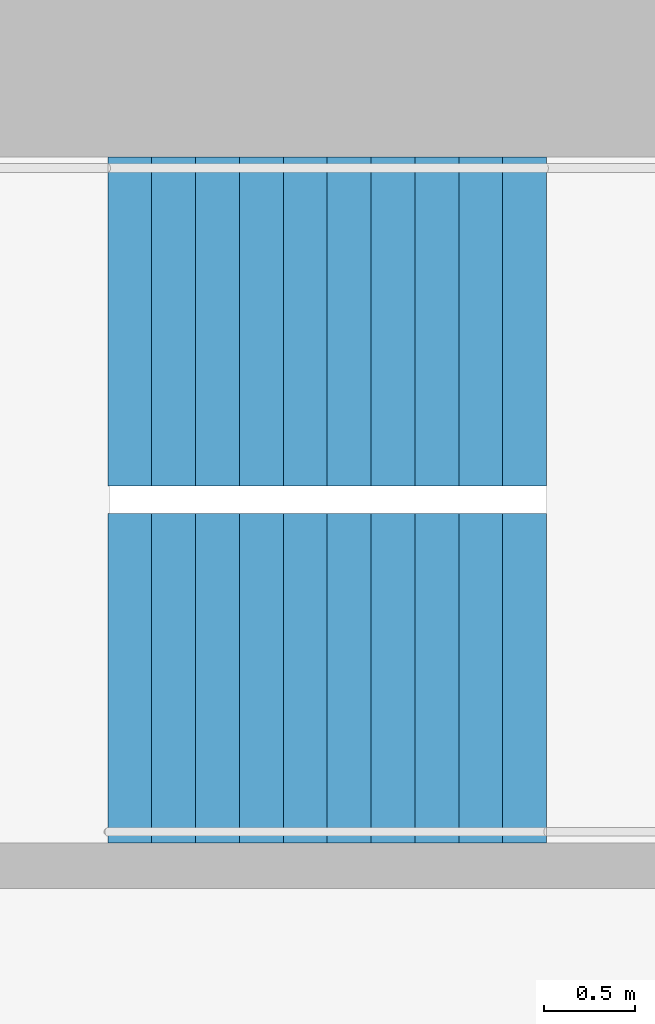
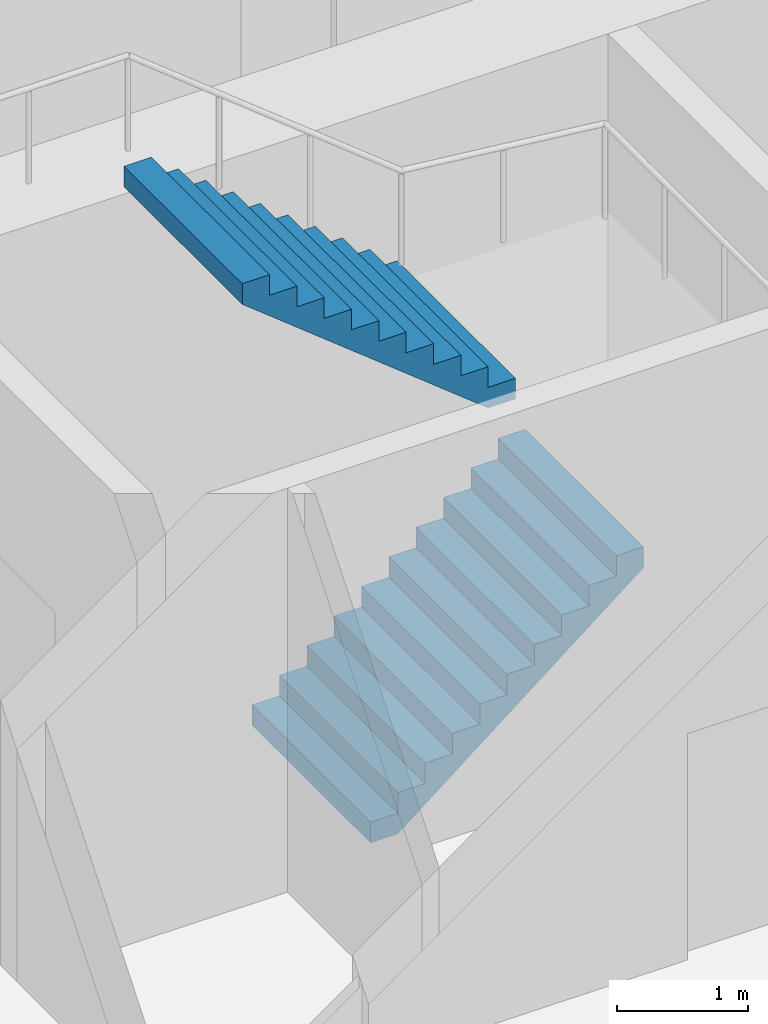
# One storey, part 38 of 41: 2 stair flights, 1 element without a shape of its own.
"""IFC4 building model written with IfcOpenShell, lengths in metres."""

from ifc_helpers import new_model, si_unit, direction, frame, origin, place, context, subcontext, project, spatial, triangles, material, type_object, element, aggregate, save


model = new_model("IFC4")

# Units and contexts
model_context = context("Model", 3, precision=1e-05, world=origin(), true_north=direction((0.0, 1.0)))
body_context = subcontext(model_context, "Body", "Model", "MODEL_VIEW")
ifc_project = project(units=[si_unit("LENGTHUNIT", "METRE"), si_unit("AREAUNIT", "SQUARE_METRE"), si_unit("VOLUMEUNIT", "CUBIC_METRE"), si_unit("PLANEANGLEUNIT", "RADIAN"), si_unit("MASSUNIT", "GRAM", prefix="KILO")], contexts=[model_context])

# Site, building, storey
site_placement = place(None, origin())
site = spatial("IfcSite", under=ifc_project, at=site_placement, CompositionType="ELEMENT")
building_placement = place(site_placement, origin())
building = spatial("IfcBuilding", under=site, at=building_placement, Name="Hakoniwa Tower and Hamabe Station Hall", CompositionType="ELEMENT")
storey_placement = place(building_placement, frame((0.0, 0.0, 276.60009765625)))
storey = spatial("IfcBuildingStorey", under=building, at=storey_placement, Name="L77", CompositionType="ELEMENT", Elevation=276.60009765625)

# Stair, stair flights
ifc_material_1 = material(Name="Concrete C40", Category="concrete")
stair_type = type_object("IfcStairType", Name="ESCAPE STAIR 1800", PredefinedType="HALF_TURN_STAIR", material=ifc_material_1)
stair_placement = place(storey_placement, origin())
stair = element("IfcStair", 1, at=stair_placement, inside=storey, type_object=stair_type, Name="Escape stair ST-1 L77", PredefinedType="HALF_TURN_STAIR")
ifc_material_2 = material(Name="Concrete C40", Category="concrete")
stair_flight_type = type_object("IfcStairFlightType", Name="STAIR FLIGHT 1800", PredefinedType="STRAIGHT", material=ifc_material_2)
stair_flight_1_placement = place(storey_placement, frame((-24.39990234375, 4.64990234375, 0.0), z_axis=(0.0, 0.0, 1.0), x_axis=(1.0, 0.0, 0.0)))
stair_flight_1 = element("IfcStairFlight", 2, at=stair_flight_1_placement, type_object=stair_flight_type, Name="ST-1 flight 1", NumberOfRisers=11, NumberOfTreads=10, PredefinedType="STRAIGHT", RiserHeight=0.190909091, TreadLength=0.24, context=body_context, shape_type="Tessellation", body=[
    triangles([(0.0, 0.89990234375, 0.0), (0.239990234375, 0.89990234375, 0.0), (0.24072265625, 0.89990234375, 0.0), (0.47998046875, 0.89990234375, 0.190185546875), (0.719970703125, 0.89990234375, 0.381103515625), (0.9599609375, 0.89990234375, 0.572021484375), (1.199951171875, 0.89990234375, 0.762939453125), (1.43994140625, 0.89990234375, 0.953857421875), (1.679931640625, 0.89990234375, 1.144775390625), (1.919921875, 0.89990234375, 1.335693359375), (2.159912109375, 0.89990234375, 1.526611328125), (2.39990234375, 0.89990234375, 1.717529296875), (2.39990234375, 0.89990234375, 1.9091796875), (2.159912109375, 0.89990234375, 1.9091796875), (2.159912109375, 0.89990234375, 1.71826171875), (1.919921875, 0.89990234375, 1.71826171875), (1.919921875, 0.89990234375, 1.52734375), (1.679931640625, 0.89990234375, 1.52734375), (1.679931640625, 0.89990234375, 1.33642578125), (1.43994140625, 0.89990234375, 1.33642578125), (1.43994140625, 0.89990234375, 1.1455078125), (1.199951171875, 0.89990234375, 1.1455078125), (1.199951171875, 0.89990234375, 0.95458984375), (0.9599609375, 0.89990234375, 0.95458984375), (0.9599609375, 0.89990234375, 0.763671875), (0.719970703125, 0.89990234375, 0.763671875), (0.719970703125, 0.89990234375, 0.57275390625), (0.47998046875, 0.89990234375, 0.57275390625), (0.47998046875, 0.89990234375, 0.3818359375), (0.24072265625, 0.89990234375, 0.3818359375), (0.239990234375, 0.89990234375, 0.3818359375), (0.239990234375, 0.89990234375, 0.19091796875), (0.0, 0.89990234375, 0.19091796875), (0.0, 0.06005859375, 0.0), (0.239990234375, 0.06005859375, 0.0), (0.24072265625, 0.06005859375, 0.0), (0.47998046875, 0.06005859375, 0.190185546875), (0.719970703125, 0.06005859375, 0.381103515625), (0.9599609375, 0.06005859375, 0.572021484375), (1.199951171875, 0.06005859375, 0.762939453125), (1.43994140625, 0.06005859375, 0.953857421875), (1.679931640625, 0.06005859375, 1.144775390625), (1.919921875, 0.06005859375, 1.335693359375), (2.159912109375, 0.06005859375, 1.526611328125), (2.39990234375, 0.06005859375, 1.717529296875), (2.39990234375, 0.06005859375, 1.9091796875), (2.159912109375, 0.06005859375, 1.9091796875), (2.159912109375, 0.06005859375, 1.71826171875), (1.919921875, 0.06005859375, 1.71826171875), (1.919921875, 0.06005859375, 1.52734375), (1.679931640625, 0.06005859375, 1.52734375), (1.679931640625, 0.06005859375, 1.33642578125), (1.43994140625, 0.06005859375, 1.33642578125), (1.43994140625, 0.06005859375, 1.1455078125), (1.199951171875, 0.06005859375, 1.1455078125), (1.199951171875, 0.06005859375, 0.95458984375), (0.9599609375, 0.06005859375, 0.95458984375), (0.9599609375, 0.06005859375, 0.763671875), (0.719970703125, 0.06005859375, 0.763671875), (0.719970703125, 0.06005859375, 0.57275390625), (0.47998046875, 0.06005859375, 0.57275390625), (0.47998046875, 0.06005859375, 0.3818359375), (0.24072265625, 0.06005859375, 0.3818359375), (0.239990234375, 0.06005859375, 0.3818359375), (0.239990234375, 0.06005859375, 0.19091796875), (0.0, 0.06005859375, 0.19091796875), (0.0, 0.02001953125, 0.0), (0.239990234375, 0.02001953125, 0.0), (0.24072265625, 0.02001953125, 0.0), (0.47998046875, 0.02001953125, 0.190185546875), (0.719970703125, 0.02001953125, 0.381103515625), (0.9599609375, 0.02001953125, 0.572021484375), (1.199951171875, 0.02001953125, 0.762939453125), (1.43994140625, 0.02001953125, 0.953857421875), (1.679931640625, 0.02001953125, 1.144775390625), (1.919921875, 0.02001953125, 1.335693359375), (2.159912109375, 0.02001953125, 1.526611328125), (2.39990234375, 0.02001953125, 1.717529296875), (2.39990234375, 0.02001953125, 1.9091796875), (2.159912109375, 0.02001953125, 1.9091796875), (2.159912109375, 0.02001953125, 1.71826171875), (1.919921875, 0.02001953125, 1.71826171875), (1.919921875, 0.02001953125, 1.52734375), (1.679931640625, 0.02001953125, 1.52734375), (1.679931640625, 0.02001953125, 1.33642578125), (1.43994140625, 0.02001953125, 1.33642578125), (1.43994140625, 0.02001953125, 1.1455078125), (1.199951171875, 0.02001953125, 1.1455078125), (1.199951171875, 0.02001953125, 0.95458984375), (0.9599609375, 0.02001953125, 0.95458984375), (0.9599609375, 0.02001953125, 0.763671875), (0.719970703125, 0.02001953125, 0.763671875), (0.719970703125, 0.02001953125, 0.57275390625), (0.47998046875, 0.02001953125, 0.57275390625), (0.47998046875, 0.02001953125, 0.3818359375), (0.24072265625, 0.02001953125, 0.3818359375), (0.239990234375, 0.02001953125, 0.3818359375), (0.239990234375, 0.02001953125, 0.19091796875), (0.0, 0.02001953125, 0.19091796875), (0.0, -0.02001953125, 0.0), (0.239990234375, -0.02001953125, 0.0), (0.24072265625, -0.02001953125, 0.0), (0.47998046875, -0.02001953125, 0.190185546875), (0.719970703125, -0.02001953125, 0.381103515625), (0.9599609375, -0.02001953125, 0.572021484375), (1.199951171875, -0.02001953125, 0.762939453125), (1.43994140625, -0.02001953125, 0.953857421875), (1.679931640625, -0.02001953125, 1.144775390625), (1.919921875, -0.02001953125, 1.335693359375), (2.159912109375, -0.02001953125, 1.526611328125), (2.39990234375, -0.02001953125, 1.717529296875), (2.39990234375, -0.02001953125, 1.9091796875), (2.159912109375, -0.02001953125, 1.9091796875), (2.159912109375, -0.02001953125, 1.71826171875), (1.919921875, -0.02001953125, 1.71826171875), (1.919921875, -0.02001953125, 1.52734375), (1.679931640625, -0.02001953125, 1.52734375), (1.679931640625, -0.02001953125, 1.33642578125), (1.43994140625, -0.02001953125, 1.33642578125), (1.43994140625, -0.02001953125, 1.1455078125), (1.199951171875, -0.02001953125, 1.1455078125), (1.199951171875, -0.02001953125, 0.95458984375), (0.9599609375, -0.02001953125, 0.95458984375), (0.9599609375, -0.02001953125, 0.763671875), (0.719970703125, -0.02001953125, 0.763671875), (0.719970703125, -0.02001953125, 0.57275390625), (0.47998046875, -0.02001953125, 0.57275390625), (0.47998046875, -0.02001953125, 0.3818359375), (0.24072265625, -0.02001953125, 0.3818359375), (0.239990234375, -0.02001953125, 0.3818359375), (0.239990234375, -0.02001953125, 0.19091796875), (0.0, -0.02001953125, 0.19091796875), (0.0, -0.06005859375, 0.0), (0.239990234375, -0.06005859375, 0.0), (0.24072265625, -0.06005859375, 0.0), (0.47998046875, -0.06005859375, 0.190185546875), (0.719970703125, -0.06005859375, 0.381103515625), (0.9599609375, -0.06005859375, 0.572021484375), (1.199951171875, -0.06005859375, 0.762939453125), (1.43994140625, -0.06005859375, 0.953857421875), (1.679931640625, -0.06005859375, 1.144775390625), (1.919921875, -0.06005859375, 1.335693359375), (2.159912109375, -0.06005859375, 1.526611328125), (2.39990234375, -0.06005859375, 1.717529296875), (2.39990234375, -0.06005859375, 1.9091796875), (2.159912109375, -0.06005859375, 1.9091796875), (2.159912109375, -0.06005859375, 1.71826171875), (1.919921875, -0.06005859375, 1.71826171875), (1.919921875, -0.06005859375, 1.52734375), (1.679931640625, -0.06005859375, 1.52734375), (1.679931640625, -0.06005859375, 1.33642578125), (1.43994140625, -0.06005859375, 1.33642578125), (1.43994140625, -0.06005859375, 1.1455078125), (1.199951171875, -0.06005859375, 1.1455078125), (1.199951171875, -0.06005859375, 0.95458984375), (0.9599609375, -0.06005859375, 0.95458984375), (0.9599609375, -0.06005859375, 0.763671875), (0.719970703125, -0.06005859375, 0.763671875), (0.719970703125, -0.06005859375, 0.57275390625), (0.47998046875, -0.06005859375, 0.57275390625), (0.47998046875, -0.06005859375, 0.3818359375), (0.24072265625, -0.06005859375, 0.3818359375), (0.239990234375, -0.06005859375, 0.3818359375), (0.239990234375, -0.06005859375, 0.19091796875), (0.0, -0.06005859375, 0.19091796875), (0.0, -0.89990234375, 0.0), (0.239990234375, -0.89990234375, 0.0), (0.24072265625, -0.89990234375, 0.0), (0.47998046875, -0.89990234375, 0.190185546875), (0.719970703125, -0.89990234375, 0.381103515625), (0.9599609375, -0.89990234375, 0.572021484375), (1.199951171875, -0.89990234375, 0.762939453125), (1.43994140625, -0.89990234375, 0.953857421875), (1.679931640625, -0.89990234375, 1.144775390625), (1.919921875, -0.89990234375, 1.335693359375), (2.159912109375, -0.89990234375, 1.526611328125), (2.39990234375, -0.89990234375, 1.717529296875), (2.39990234375, -0.89990234375, 1.9091796875), (2.159912109375, -0.89990234375, 1.9091796875), (2.159912109375, -0.89990234375, 1.71826171875), (1.919921875, -0.89990234375, 1.71826171875), (1.919921875, -0.89990234375, 1.52734375), (1.679931640625, -0.89990234375, 1.52734375), (1.679931640625, -0.89990234375, 1.33642578125), (1.43994140625, -0.89990234375, 1.33642578125), (1.43994140625, -0.89990234375, 1.1455078125), (1.199951171875, -0.89990234375, 1.1455078125), (1.199951171875, -0.89990234375, 0.95458984375), (0.9599609375, -0.89990234375, 0.95458984375), (0.9599609375, -0.89990234375, 0.763671875), (0.719970703125, -0.89990234375, 0.763671875), (0.719970703125, -0.89990234375, 0.57275390625), (0.47998046875, -0.89990234375, 0.57275390625), (0.47998046875, -0.89990234375, 0.3818359375), (0.24072265625, -0.89990234375, 0.3818359375), (0.239990234375, -0.89990234375, 0.3818359375), (0.239990234375, -0.89990234375, 0.19091796875), (0.0, -0.89990234375, 0.19091796875)], [[2, 33, 32], [167, 197, 198], [2, 1, 33], [167, 198, 166], [3, 31, 30], [168, 195, 196], [3, 32, 31], [168, 196, 197], [3, 2, 32], [168, 197, 167], [4, 30, 29], [169, 194, 195], [4, 3, 30], [169, 195, 168], [5, 28, 27], [170, 192, 193], [5, 29, 28], [170, 193, 194], [5, 4, 29], [170, 194, 169], [6, 26, 25], [171, 190, 191], [6, 27, 26], [171, 191, 192], [6, 5, 27], [171, 192, 170], [7, 24, 23], [172, 188, 189], [7, 25, 24], [172, 189, 190], [7, 6, 25], [172, 190, 171], [8, 22, 21], [173, 186, 187], [8, 23, 22], [173, 187, 188], [8, 7, 23], [173, 188, 172], [9, 20, 19], [174, 184, 185], [9, 21, 20], [174, 185, 186], [9, 8, 21], [174, 186, 173], [10, 18, 17], [175, 182, 183], [10, 19, 18], [175, 183, 184], [10, 9, 19], [175, 184, 174], [11, 16, 15], [176, 180, 181], [11, 17, 16], [176, 181, 182], [11, 10, 17], [176, 182, 175], [12, 14, 13], [177, 178, 179], [12, 15, 14], [177, 179, 180], [12, 11, 15], [177, 180, 176], [1, 2, 35], [1, 35, 34], [34, 35, 68], [34, 68, 67], [67, 68, 101], [67, 101, 100], [100, 101, 134], [100, 134, 133], [133, 134, 167], [133, 167, 166], [2, 3, 36], [2, 36, 35], [35, 36, 69], [35, 69, 68], [68, 69, 102], [68, 102, 101], [101, 102, 135], [101, 135, 134], [134, 135, 168], [134, 168, 167], [3, 4, 37], [3, 37, 36], [36, 37, 70], [36, 70, 69], [69, 70, 103], [69, 103, 102], [102, 103, 136], [102, 136, 135], [135, 136, 169], [135, 169, 168], [4, 5, 38], [4, 38, 37], [37, 38, 71], [37, 71, 70], [70, 71, 104], [70, 104, 103], [103, 104, 137], [103, 137, 136], [136, 137, 170], [136, 170, 169], [5, 6, 39], [5, 39, 38], [38, 39, 72], [38, 72, 71], [71, 72, 105], [71, 105, 104], [104, 105, 138], [104, 138, 137], [137, 138, 171], [137, 171, 170], [6, 7, 40], [6, 40, 39], [39, 40, 73], [39, 73, 72], [72, 73, 106], [72, 106, 105], [105, 106, 139], [105, 139, 138], [138, 139, 172], [138, 172, 171], [7, 8, 41], [7, 41, 40], [40, 41, 74], [40, 74, 73], [73, 74, 107], [73, 107, 106], [106, 107, 140], [106, 140, 139], [139, 140, 173], [139, 173, 172], [8, 9, 42], [8, 42, 41], [41, 42, 75], [41, 75, 74], [74, 75, 108], [74, 108, 107], [107, 108, 141], [107, 141, 140], [140, 141, 174], [140, 174, 173], [9, 10, 43], [9, 43, 42], [42, 43, 76], [42, 76, 75], [75, 76, 109], [75, 109, 108], [108, 109, 142], [108, 142, 141], [141, 142, 175], [141, 175, 174], [10, 11, 44], [10, 44, 43], [43, 44, 77], [43, 77, 76], [76, 77, 110], [76, 110, 109], [109, 110, 143], [109, 143, 142], [142, 143, 176], [142, 176, 175], [11, 12, 45], [11, 45, 44], [44, 45, 78], [44, 78, 77], [77, 78, 111], [77, 111, 110], [110, 111, 144], [110, 144, 143], [143, 144, 177], [143, 177, 176], [12, 13, 46], [12, 46, 45], [45, 46, 79], [45, 79, 78], [78, 79, 112], [78, 112, 111], [111, 112, 145], [111, 145, 144], [144, 145, 178], [144, 178, 177], [13, 14, 47], [13, 47, 46], [46, 47, 80], [46, 80, 79], [79, 80, 113], [79, 113, 112], [112, 113, 146], [112, 146, 145], [145, 146, 179], [145, 179, 178], [14, 15, 48], [14, 48, 47], [47, 48, 81], [47, 81, 80], [80, 81, 114], [80, 114, 113], [113, 114, 147], [113, 147, 146], [146, 147, 180], [146, 180, 179], [15, 16, 49], [15, 49, 48], [48, 49, 82], [48, 82, 81], [81, 82, 115], [81, 115, 114], [114, 115, 148], [114, 148, 147], [147, 148, 181], [147, 181, 180], [16, 17, 50], [16, 50, 49], [49, 50, 83], [49, 83, 82], [82, 83, 116], [82, 116, 115], [115, 116, 149], [115, 149, 148], [148, 149, 182], [148, 182, 181], [17, 18, 51], [17, 51, 50], [50, 51, 84], [50, 84, 83], [83, 84, 117], [83, 117, 116], [116, 117, 150], [116, 150, 149], [149, 150, 183], [149, 183, 182], [18, 19, 52], [18, 52, 51], [51, 52, 85], [51, 85, 84], [84, 85, 118], [84, 118, 117], [117, 118, 151], [117, 151, 150], [150, 151, 184], [150, 184, 183], [19, 20, 53], [19, 53, 52], [52, 53, 86], [52, 86, 85], [85, 86, 119], [85, 119, 118], [118, 119, 152], [118, 152, 151], [151, 152, 185], [151, 185, 184], [20, 21, 54], [20, 54, 53], [53, 54, 87], [53, 87, 86], [86, 87, 120], [86, 120, 119], [119, 120, 153], [119, 153, 152], [152, 153, 186], [152, 186, 185], [21, 22, 55], [21, 55, 54], [54, 55, 88], [54, 88, 87], [87, 88, 121], [87, 121, 120], [120, 121, 154], [120, 154, 153], [153, 154, 187], [153, 187, 186], [22, 23, 56], [22, 56, 55], [55, 56, 89], [55, 89, 88], [88, 89, 122], [88, 122, 121], [121, 122, 155], [121, 155, 154], [154, 155, 188], [154, 188, 187], [23, 24, 57], [23, 57, 56], [56, 57, 90], [56, 90, 89], [89, 90, 123], [89, 123, 122], [122, 123, 156], [122, 156, 155], [155, 156, 189], [155, 189, 188], [24, 25, 58], [24, 58, 57], [57, 58, 91], [57, 91, 90], [90, 91, 124], [90, 124, 123], [123, 124, 157], [123, 157, 156], [156, 157, 190], [156, 190, 189], [25, 26, 59], [25, 59, 58], [58, 59, 92], [58, 92, 91], [91, 92, 125], [91, 125, 124], [124, 125, 158], [124, 158, 157], [157, 158, 191], [157, 191, 190], [26, 27, 60], [26, 60, 59], [59, 60, 93], [59, 93, 92], [92, 93, 126], [92, 126, 125], [125, 126, 159], [125, 159, 158], [158, 159, 192], [158, 192, 191], [27, 28, 61], [27, 61, 60], [60, 61, 94], [60, 94, 93], [93, 94, 127], [93, 127, 126], [126, 127, 160], [126, 160, 159], [159, 160, 193], [159, 193, 192], [28, 29, 62], [28, 62, 61], [61, 62, 95], [61, 95, 94], [94, 95, 128], [94, 128, 127], [127, 128, 161], [127, 161, 160], [160, 161, 194], [160, 194, 193], [29, 30, 63], [29, 63, 62], [62, 63, 96], [62, 96, 95], [95, 96, 129], [95, 129, 128], [128, 129, 162], [128, 162, 161], [161, 162, 195], [161, 195, 194], [30, 31, 64], [30, 64, 63], [63, 64, 97], [63, 97, 96], [96, 97, 130], [96, 130, 129], [129, 130, 163], [129, 163, 162], [162, 163, 196], [162, 196, 195], [31, 32, 65], [31, 65, 64], [64, 65, 98], [64, 98, 97], [97, 98, 131], [97, 131, 130], [130, 131, 164], [130, 164, 163], [163, 164, 197], [163, 197, 196], [32, 33, 66], [32, 66, 65], [65, 66, 99], [65, 99, 98], [98, 99, 132], [98, 132, 131], [131, 132, 165], [131, 165, 164], [164, 165, 198], [164, 198, 197], [33, 1, 34], [33, 34, 66], [66, 34, 67], [66, 67, 99], [99, 67, 100], [99, 100, 132], [132, 100, 133], [132, 133, 165], [165, 133, 166], [165, 166, 198]], closed=True),
])
stair_flight_2_placement = place(storey_placement, frame((-22.0, 6.60009765625, 2.099853515625), z_axis=(0.0, 0.0, 1.0), x_axis=(-1.0, 0.0, 0.0)))
stair_flight_2 = element("IfcStairFlight", 3, at=stair_flight_2_placement, type_object=stair_flight_type, Name="ST-1 flight 2", NumberOfRisers=11, NumberOfTreads=10, PredefinedType="STRAIGHT", RiserHeight=0.190909091, TreadLength=0.24, context=body_context, shape_type="Tessellation", body=[
    triangles([(0.0, 0.89990234375, 0.0), (0.239990234375, 0.89990234375, 0.0), (0.24072265625, 0.89990234375, 0.0), (0.47998046875, 0.89990234375, 0.190185546875), (0.719970703125, 0.89990234375, 0.381103515625), (0.9599609375, 0.89990234375, 0.572021484375), (1.199951171875, 0.89990234375, 0.762939453125), (1.43994140625, 0.89990234375, 0.953857421875), (1.679931640625, 0.89990234375, 1.144775390625), (1.919921875, 0.89990234375, 1.335693359375), (2.159912109375, 0.89990234375, 1.526611328125), (2.39990234375, 0.89990234375, 1.717529296875), (2.39990234375, 0.89990234375, 1.9091796875), (2.159912109375, 0.89990234375, 1.9091796875), (2.159912109375, 0.89990234375, 1.71826171875), (1.919921875, 0.89990234375, 1.71826171875), (1.919921875, 0.89990234375, 1.52734375), (1.679931640625, 0.89990234375, 1.52734375), (1.679931640625, 0.89990234375, 1.33642578125), (1.43994140625, 0.89990234375, 1.33642578125), (1.43994140625, 0.89990234375, 1.1455078125), (1.199951171875, 0.89990234375, 1.1455078125), (1.199951171875, 0.89990234375, 0.95458984375), (0.9599609375, 0.89990234375, 0.95458984375), (0.9599609375, 0.89990234375, 0.763671875), (0.719970703125, 0.89990234375, 0.763671875), (0.719970703125, 0.89990234375, 0.57275390625), (0.47998046875, 0.89990234375, 0.57275390625), (0.47998046875, 0.89990234375, 0.3818359375), (0.24072265625, 0.89990234375, 0.3818359375), (0.239990234375, 0.89990234375, 0.3818359375), (0.239990234375, 0.89990234375, 0.19091796875), (0.0, 0.89990234375, 0.19091796875), (0.0, 0.06005859375, 0.0), (0.239990234375, 0.06005859375, 0.0), (0.24072265625, 0.06005859375, 0.0), (0.47998046875, 0.06005859375, 0.190185546875), (0.719970703125, 0.06005859375, 0.381103515625), (0.9599609375, 0.06005859375, 0.572021484375), (1.199951171875, 0.06005859375, 0.762939453125), (1.43994140625, 0.06005859375, 0.953857421875), (1.679931640625, 0.06005859375, 1.144775390625), (1.919921875, 0.06005859375, 1.335693359375), (2.159912109375, 0.06005859375, 1.526611328125), (2.39990234375, 0.06005859375, 1.717529296875), (2.39990234375, 0.06005859375, 1.9091796875), (2.159912109375, 0.06005859375, 1.9091796875), (2.159912109375, 0.06005859375, 1.71826171875), (1.919921875, 0.06005859375, 1.71826171875), (1.919921875, 0.06005859375, 1.52734375), (1.679931640625, 0.06005859375, 1.52734375), (1.679931640625, 0.06005859375, 1.33642578125), (1.43994140625, 0.06005859375, 1.33642578125), (1.43994140625, 0.06005859375, 1.1455078125), (1.199951171875, 0.06005859375, 1.1455078125), (1.199951171875, 0.06005859375, 0.95458984375), (0.9599609375, 0.06005859375, 0.95458984375), (0.9599609375, 0.06005859375, 0.763671875), (0.719970703125, 0.06005859375, 0.763671875), (0.719970703125, 0.06005859375, 0.57275390625), (0.47998046875, 0.06005859375, 0.57275390625), (0.47998046875, 0.06005859375, 0.3818359375), (0.24072265625, 0.06005859375, 0.3818359375), (0.239990234375, 0.06005859375, 0.3818359375), (0.239990234375, 0.06005859375, 0.19091796875), (0.0, 0.06005859375, 0.19091796875), (0.0, 0.02001953125, 0.0), (0.239990234375, 0.02001953125, 0.0), (0.24072265625, 0.02001953125, 0.0), (0.47998046875, 0.02001953125, 0.190185546875), (0.719970703125, 0.02001953125, 0.381103515625), (0.9599609375, 0.02001953125, 0.572021484375), (1.199951171875, 0.02001953125, 0.762939453125), (1.43994140625, 0.02001953125, 0.953857421875), (1.679931640625, 0.02001953125, 1.144775390625), (1.919921875, 0.02001953125, 1.335693359375), (2.159912109375, 0.02001953125, 1.526611328125), (2.39990234375, 0.02001953125, 1.717529296875), (2.39990234375, 0.02001953125, 1.9091796875), (2.159912109375, 0.02001953125, 1.9091796875), (2.159912109375, 0.02001953125, 1.71826171875), (1.919921875, 0.02001953125, 1.71826171875), (1.919921875, 0.02001953125, 1.52734375), (1.679931640625, 0.02001953125, 1.52734375), (1.679931640625, 0.02001953125, 1.33642578125), (1.43994140625, 0.02001953125, 1.33642578125), (1.43994140625, 0.02001953125, 1.1455078125), (1.199951171875, 0.02001953125, 1.1455078125), (1.199951171875, 0.02001953125, 0.95458984375), (0.9599609375, 0.02001953125, 0.95458984375), (0.9599609375, 0.02001953125, 0.763671875), (0.719970703125, 0.02001953125, 0.763671875), (0.719970703125, 0.02001953125, 0.57275390625), (0.47998046875, 0.02001953125, 0.57275390625), (0.47998046875, 0.02001953125, 0.3818359375), (0.24072265625, 0.02001953125, 0.3818359375), (0.239990234375, 0.02001953125, 0.3818359375), (0.239990234375, 0.02001953125, 0.19091796875), (0.0, 0.02001953125, 0.19091796875), (0.0, -0.02001953125, 0.0), (0.239990234375, -0.02001953125, 0.0), (0.24072265625, -0.02001953125, 0.0), (0.47998046875, -0.02001953125, 0.190185546875), (0.719970703125, -0.02001953125, 0.381103515625), (0.9599609375, -0.02001953125, 0.572021484375), (1.199951171875, -0.02001953125, 0.762939453125), (1.43994140625, -0.02001953125, 0.953857421875), (1.679931640625, -0.02001953125, 1.144775390625), (1.919921875, -0.02001953125, 1.335693359375), (2.159912109375, -0.02001953125, 1.526611328125), (2.39990234375, -0.02001953125, 1.717529296875), (2.39990234375, -0.02001953125, 1.9091796875), (2.159912109375, -0.02001953125, 1.9091796875), (2.159912109375, -0.02001953125, 1.71826171875), (1.919921875, -0.02001953125, 1.71826171875), (1.919921875, -0.02001953125, 1.52734375), (1.679931640625, -0.02001953125, 1.52734375), (1.679931640625, -0.02001953125, 1.33642578125), (1.43994140625, -0.02001953125, 1.33642578125), (1.43994140625, -0.02001953125, 1.1455078125), (1.199951171875, -0.02001953125, 1.1455078125), (1.199951171875, -0.02001953125, 0.95458984375), (0.9599609375, -0.02001953125, 0.95458984375), (0.9599609375, -0.02001953125, 0.763671875), (0.719970703125, -0.02001953125, 0.763671875), (0.719970703125, -0.02001953125, 0.57275390625), (0.47998046875, -0.02001953125, 0.57275390625), (0.47998046875, -0.02001953125, 0.3818359375), (0.24072265625, -0.02001953125, 0.3818359375), (0.239990234375, -0.02001953125, 0.3818359375), (0.239990234375, -0.02001953125, 0.19091796875), (0.0, -0.02001953125, 0.19091796875), (0.0, -0.06005859375, 0.0), (0.239990234375, -0.06005859375, 0.0), (0.24072265625, -0.06005859375, 0.0), (0.47998046875, -0.06005859375, 0.190185546875), (0.719970703125, -0.06005859375, 0.381103515625), (0.9599609375, -0.06005859375, 0.572021484375), (1.199951171875, -0.06005859375, 0.762939453125), (1.43994140625, -0.06005859375, 0.953857421875), (1.679931640625, -0.06005859375, 1.144775390625), (1.919921875, -0.06005859375, 1.335693359375), (2.159912109375, -0.06005859375, 1.526611328125), (2.39990234375, -0.06005859375, 1.717529296875), (2.39990234375, -0.06005859375, 1.9091796875), (2.159912109375, -0.06005859375, 1.9091796875), (2.159912109375, -0.06005859375, 1.71826171875), (1.919921875, -0.06005859375, 1.71826171875), (1.919921875, -0.06005859375, 1.52734375), (1.679931640625, -0.06005859375, 1.52734375), (1.679931640625, -0.06005859375, 1.33642578125), (1.43994140625, -0.06005859375, 1.33642578125), (1.43994140625, -0.06005859375, 1.1455078125), (1.199951171875, -0.06005859375, 1.1455078125), (1.199951171875, -0.06005859375, 0.95458984375), (0.9599609375, -0.06005859375, 0.95458984375), (0.9599609375, -0.06005859375, 0.763671875), (0.719970703125, -0.06005859375, 0.763671875), (0.719970703125, -0.06005859375, 0.57275390625), (0.47998046875, -0.06005859375, 0.57275390625), (0.47998046875, -0.06005859375, 0.3818359375), (0.24072265625, -0.06005859375, 0.3818359375), (0.239990234375, -0.06005859375, 0.3818359375), (0.239990234375, -0.06005859375, 0.19091796875), (0.0, -0.06005859375, 0.19091796875), (0.0, -0.89990234375, 0.0), (0.239990234375, -0.89990234375, 0.0), (0.24072265625, -0.89990234375, 0.0), (0.47998046875, -0.89990234375, 0.190185546875), (0.719970703125, -0.89990234375, 0.381103515625), (0.9599609375, -0.89990234375, 0.572021484375), (1.199951171875, -0.89990234375, 0.762939453125), (1.43994140625, -0.89990234375, 0.953857421875), (1.679931640625, -0.89990234375, 1.144775390625), (1.919921875, -0.89990234375, 1.335693359375), (2.159912109375, -0.89990234375, 1.526611328125), (2.39990234375, -0.89990234375, 1.717529296875), (2.39990234375, -0.89990234375, 1.9091796875), (2.159912109375, -0.89990234375, 1.9091796875), (2.159912109375, -0.89990234375, 1.71826171875), (1.919921875, -0.89990234375, 1.71826171875), (1.919921875, -0.89990234375, 1.52734375), (1.679931640625, -0.89990234375, 1.52734375), (1.679931640625, -0.89990234375, 1.33642578125), (1.43994140625, -0.89990234375, 1.33642578125), (1.43994140625, -0.89990234375, 1.1455078125), (1.199951171875, -0.89990234375, 1.1455078125), (1.199951171875, -0.89990234375, 0.95458984375), (0.9599609375, -0.89990234375, 0.95458984375), (0.9599609375, -0.89990234375, 0.763671875), (0.719970703125, -0.89990234375, 0.763671875), (0.719970703125, -0.89990234375, 0.57275390625), (0.47998046875, -0.89990234375, 0.57275390625), (0.47998046875, -0.89990234375, 0.3818359375), (0.24072265625, -0.89990234375, 0.3818359375), (0.239990234375, -0.89990234375, 0.3818359375), (0.239990234375, -0.89990234375, 0.19091796875), (0.0, -0.89990234375, 0.19091796875)], [[2, 33, 32], [167, 197, 198], [2, 1, 33], [167, 198, 166], [3, 31, 30], [168, 195, 196], [3, 32, 31], [168, 196, 197], [3, 2, 32], [168, 197, 167], [4, 30, 29], [169, 194, 195], [4, 3, 30], [169, 195, 168], [5, 28, 27], [170, 192, 193], [5, 29, 28], [170, 193, 194], [5, 4, 29], [170, 194, 169], [6, 26, 25], [171, 190, 191], [6, 27, 26], [171, 191, 192], [6, 5, 27], [171, 192, 170], [7, 24, 23], [172, 188, 189], [7, 25, 24], [172, 189, 190], [7, 6, 25], [172, 190, 171], [8, 22, 21], [173, 186, 187], [8, 23, 22], [173, 187, 188], [8, 7, 23], [173, 188, 172], [9, 20, 19], [174, 184, 185], [9, 21, 20], [174, 185, 186], [9, 8, 21], [174, 186, 173], [10, 18, 17], [175, 182, 183], [10, 19, 18], [175, 183, 184], [10, 9, 19], [175, 184, 174], [11, 16, 15], [176, 180, 181], [11, 17, 16], [176, 181, 182], [11, 10, 17], [176, 182, 175], [12, 14, 13], [177, 178, 179], [12, 15, 14], [177, 179, 180], [12, 11, 15], [177, 180, 176], [1, 2, 35], [1, 35, 34], [34, 35, 68], [34, 68, 67], [67, 68, 101], [67, 101, 100], [100, 101, 134], [100, 134, 133], [133, 134, 167], [133, 167, 166], [2, 3, 36], [2, 36, 35], [35, 36, 69], [35, 69, 68], [68, 69, 102], [68, 102, 101], [101, 102, 135], [101, 135, 134], [134, 135, 168], [134, 168, 167], [3, 4, 37], [3, 37, 36], [36, 37, 70], [36, 70, 69], [69, 70, 103], [69, 103, 102], [102, 103, 136], [102, 136, 135], [135, 136, 169], [135, 169, 168], [4, 5, 38], [4, 38, 37], [37, 38, 71], [37, 71, 70], [70, 71, 104], [70, 104, 103], [103, 104, 137], [103, 137, 136], [136, 137, 170], [136, 170, 169], [5, 6, 39], [5, 39, 38], [38, 39, 72], [38, 72, 71], [71, 72, 105], [71, 105, 104], [104, 105, 138], [104, 138, 137], [137, 138, 171], [137, 171, 170], [6, 7, 40], [6, 40, 39], [39, 40, 73], [39, 73, 72], [72, 73, 106], [72, 106, 105], [105, 106, 139], [105, 139, 138], [138, 139, 172], [138, 172, 171], [7, 8, 41], [7, 41, 40], [40, 41, 74], [40, 74, 73], [73, 74, 107], [73, 107, 106], [106, 107, 140], [106, 140, 139], [139, 140, 173], [139, 173, 172], [8, 9, 42], [8, 42, 41], [41, 42, 75], [41, 75, 74], [74, 75, 108], [74, 108, 107], [107, 108, 141], [107, 141, 140], [140, 141, 174], [140, 174, 173], [9, 10, 43], [9, 43, 42], [42, 43, 76], [42, 76, 75], [75, 76, 109], [75, 109, 108], [108, 109, 142], [108, 142, 141], [141, 142, 175], [141, 175, 174], [10, 11, 44], [10, 44, 43], [43, 44, 77], [43, 77, 76], [76, 77, 110], [76, 110, 109], [109, 110, 143], [109, 143, 142], [142, 143, 176], [142, 176, 175], [11, 12, 45], [11, 45, 44], [44, 45, 78], [44, 78, 77], [77, 78, 111], [77, 111, 110], [110, 111, 144], [110, 144, 143], [143, 144, 177], [143, 177, 176], [12, 13, 46], [12, 46, 45], [45, 46, 79], [45, 79, 78], [78, 79, 112], [78, 112, 111], [111, 112, 145], [111, 145, 144], [144, 145, 178], [144, 178, 177], [13, 14, 47], [13, 47, 46], [46, 47, 80], [46, 80, 79], [79, 80, 113], [79, 113, 112], [112, 113, 146], [112, 146, 145], [145, 146, 179], [145, 179, 178], [14, 15, 48], [14, 48, 47], [47, 48, 81], [47, 81, 80], [80, 81, 114], [80, 114, 113], [113, 114, 147], [113, 147, 146], [146, 147, 180], [146, 180, 179], [15, 16, 49], [15, 49, 48], [48, 49, 82], [48, 82, 81], [81, 82, 115], [81, 115, 114], [114, 115, 148], [114, 148, 147], [147, 148, 181], [147, 181, 180], [16, 17, 50], [16, 50, 49], [49, 50, 83], [49, 83, 82], [82, 83, 116], [82, 116, 115], [115, 116, 149], [115, 149, 148], [148, 149, 182], [148, 182, 181], [17, 18, 51], [17, 51, 50], [50, 51, 84], [50, 84, 83], [83, 84, 117], [83, 117, 116], [116, 117, 150], [116, 150, 149], [149, 150, 183], [149, 183, 182], [18, 19, 52], [18, 52, 51], [51, 52, 85], [51, 85, 84], [84, 85, 118], [84, 118, 117], [117, 118, 151], [117, 151, 150], [150, 151, 184], [150, 184, 183], [19, 20, 53], [19, 53, 52], [52, 53, 86], [52, 86, 85], [85, 86, 119], [85, 119, 118], [118, 119, 152], [118, 152, 151], [151, 152, 185], [151, 185, 184], [20, 21, 54], [20, 54, 53], [53, 54, 87], [53, 87, 86], [86, 87, 120], [86, 120, 119], [119, 120, 153], [119, 153, 152], [152, 153, 186], [152, 186, 185], [21, 22, 55], [21, 55, 54], [54, 55, 88], [54, 88, 87], [87, 88, 121], [87, 121, 120], [120, 121, 154], [120, 154, 153], [153, 154, 187], [153, 187, 186], [22, 23, 56], [22, 56, 55], [55, 56, 89], [55, 89, 88], [88, 89, 122], [88, 122, 121], [121, 122, 155], [121, 155, 154], [154, 155, 188], [154, 188, 187], [23, 24, 57], [23, 57, 56], [56, 57, 90], [56, 90, 89], [89, 90, 123], [89, 123, 122], [122, 123, 156], [122, 156, 155], [155, 156, 189], [155, 189, 188], [24, 25, 58], [24, 58, 57], [57, 58, 91], [57, 91, 90], [90, 91, 124], [90, 124, 123], [123, 124, 157], [123, 157, 156], [156, 157, 190], [156, 190, 189], [25, 26, 59], [25, 59, 58], [58, 59, 92], [58, 92, 91], [91, 92, 125], [91, 125, 124], [124, 125, 158], [124, 158, 157], [157, 158, 191], [157, 191, 190], [26, 27, 60], [26, 60, 59], [59, 60, 93], [59, 93, 92], [92, 93, 126], [92, 126, 125], [125, 126, 159], [125, 159, 158], [158, 159, 192], [158, 192, 191], [27, 28, 61], [27, 61, 60], [60, 61, 94], [60, 94, 93], [93, 94, 127], [93, 127, 126], [126, 127, 160], [126, 160, 159], [159, 160, 193], [159, 193, 192], [28, 29, 62], [28, 62, 61], [61, 62, 95], [61, 95, 94], [94, 95, 128], [94, 128, 127], [127, 128, 161], [127, 161, 160], [160, 161, 194], [160, 194, 193], [29, 30, 63], [29, 63, 62], [62, 63, 96], [62, 96, 95], [95, 96, 129], [95, 129, 128], [128, 129, 162], [128, 162, 161], [161, 162, 195], [161, 195, 194], [30, 31, 64], [30, 64, 63], [63, 64, 97], [63, 97, 96], [96, 97, 130], [96, 130, 129], [129, 130, 163], [129, 163, 162], [162, 163, 196], [162, 196, 195], [31, 32, 65], [31, 65, 64], [64, 65, 98], [64, 98, 97], [97, 98, 131], [97, 131, 130], [130, 131, 164], [130, 164, 163], [163, 164, 197], [163, 197, 196], [32, 33, 66], [32, 66, 65], [65, 66, 99], [65, 99, 98], [98, 99, 132], [98, 132, 131], [131, 132, 165], [131, 165, 164], [164, 165, 198], [164, 198, 197], [33, 1, 34], [33, 34, 66], [66, 34, 67], [66, 67, 99], [99, 67, 100], [99, 100, 132], [132, 100, 133], [132, 133, 165], [165, 133, 166], [165, 166, 198]], closed=True),
])
aggregate(stair, [stair_flight_1, stair_flight_2])

save(model, "model.ifc")
